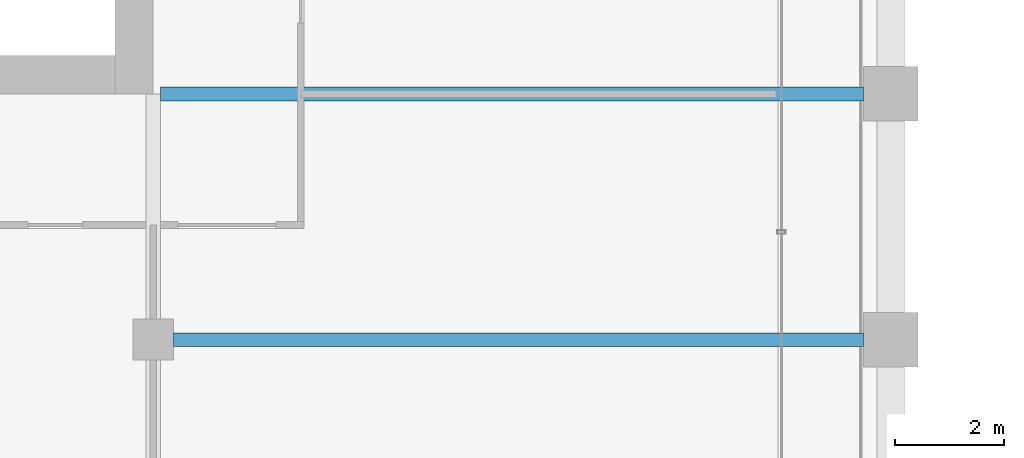
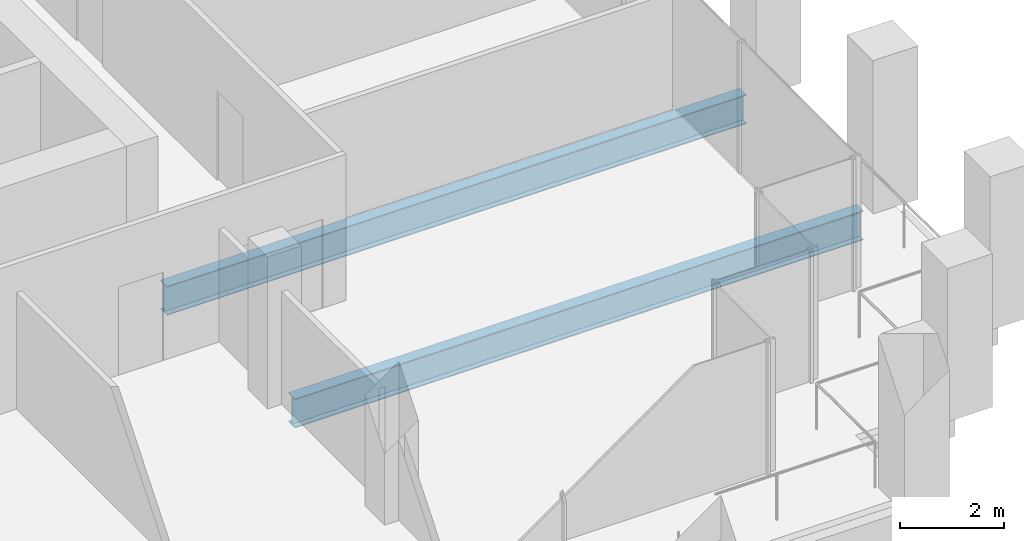
# One storey, part 14 of 47: 2 beams.
"""IFC4 building model written with IfcOpenShell, lengths in metres."""

from ifc_helpers import new_model, si_unit, direction, frame, origin, origin_2d, place, context, subcontext, project, spatial, i_section, extrude, material, material_profile, profile_set, type_object, element, save


model = new_model("IFC4")

# Units and contexts
model_context = context("Model", 3, precision=1e-05, world=origin(), true_north=direction((0.0, 1.0)))
body_context = subcontext(model_context, "Body", "Model", "MODEL_VIEW")
ifc_project = project(units=[si_unit("LENGTHUNIT", "METRE"), si_unit("AREAUNIT", "SQUARE_METRE"), si_unit("VOLUMEUNIT", "CUBIC_METRE"), si_unit("PLANEANGLEUNIT", "RADIAN"), si_unit("MASSUNIT", "GRAM", prefix="KILO")], contexts=[model_context])

# Site, building, storey
site_placement = place(None, origin())
site = spatial("IfcSite", under=ifc_project, at=site_placement, CompositionType="ELEMENT")
building_placement = place(site_placement, origin())
building = spatial("IfcBuilding", under=site, at=building_placement, Name="Altepetl Exchange Towers", CompositionType="ELEMENT")
storey_placement = place(building_placement, frame((0.0, 0.0, 99.199951171875)))
storey = spatial("IfcBuildingStorey", under=building, at=storey_placement, Name="L24", CompositionType="ELEMENT", Elevation=99.199951171875)

# Beams
ifc_material = material(Name="Steel S355", Category="steel")
ifc_material_profile = material_profile(ifc_material, i_section(OverallWidth=0.25390625, OverallDepth=0.68408203125, WebThickness=0.012451171875, FlangeThickness=0.018798828125, at=origin_2d()), Name="W27X94")
ifc_profile_set = profile_set([ifc_material_profile], Name="Steel S355")
beam_type = type_object("IfcBeamType", Name="Floor beam W27X94", PredefinedType="BEAM", material=ifc_profile_set)
beam_1_placement = place(storey_placement, frame((58.875, 36.0, -0.491943359375), z_axis=(1.0, 0.0, 0.0), x_axis=(0.0, 1.0, 0.0)))
element("IfcBeam", 1, at=beam_1_placement, inside=storey, type_object=beam_type, Name="bm:A:L24:007", PredefinedType="BEAM", context=body_context, shape_type="SweptSolid", body=[
    extrude(i_section(OverallWidth=0.25390625, OverallDepth=0.68408203125, WebThickness=0.012451171875, FlangeThickness=0.018798828125, at=origin_2d()), origin(), (0.0, 0.0, 1.0), 12.625),
])
beam_2_placement = place(storey_placement, frame((58.634033203125, 40.5, -0.491943359375), z_axis=(1.0, 0.0, 0.0), x_axis=(0.0, 1.0, 0.0)))
element("IfcBeam", 2, at=beam_2_placement, inside=storey, type_object=beam_type, Name="bm:A:L24:008", PredefinedType="BEAM", context=body_context, shape_type="SweptSolid", body=[
    extrude(i_section(OverallWidth=0.25390625, OverallDepth=0.68408203125, WebThickness=0.012451171875, FlangeThickness=0.018798828125, at=origin_2d()), origin(), (0.0, 0.0, 1.0), 12.865966796875),
])

save(model, "model.ifc")
